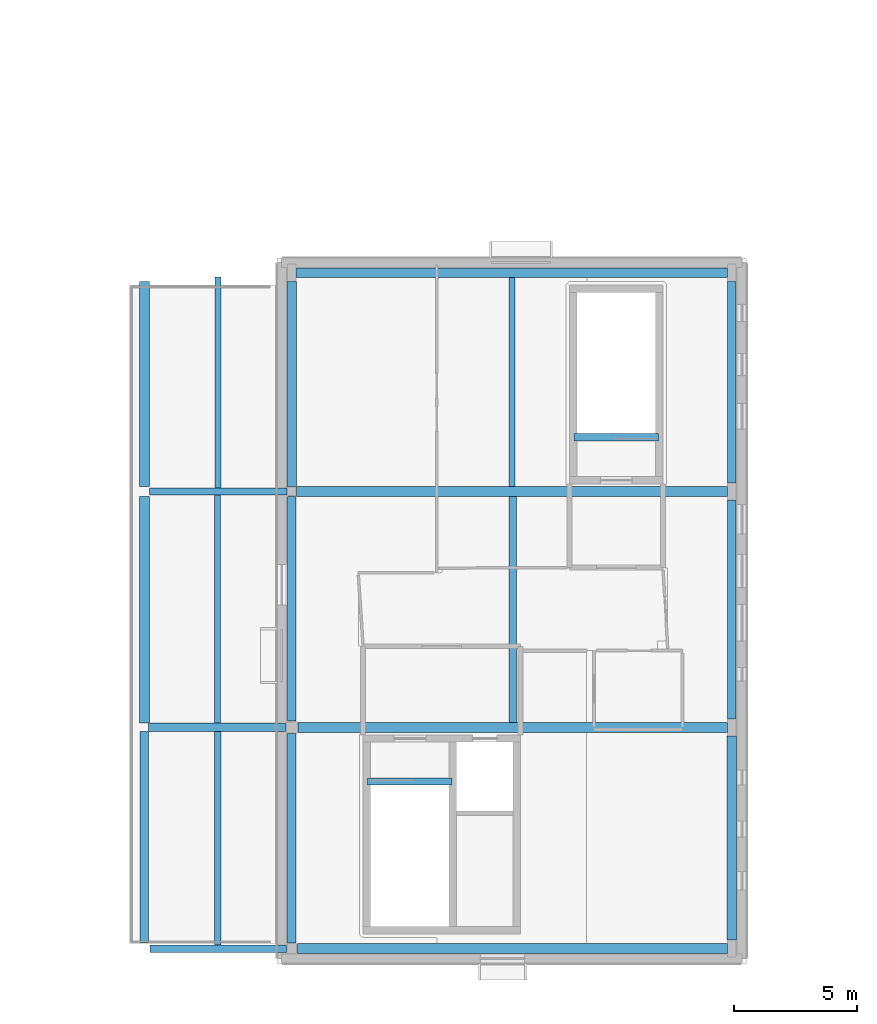
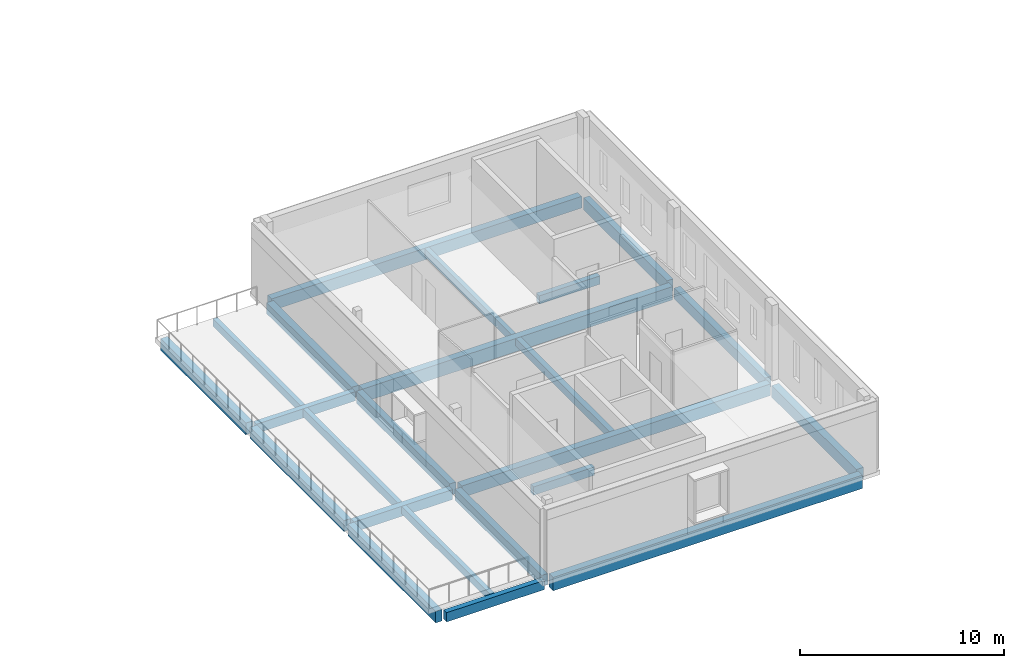
# One storey, part 5 of 41: 23 beams.
"""IFC4 building model written with IfcOpenShell, lengths in metres."""

from ifc_helpers import new_model, si_unit, direction, frame, origin, origin_2d, place, context, subcontext, project, spatial, rectangle, extrude, material, material_profile, profile_set, type_object, element, save


model = new_model("IFC4")

# Units and contexts
model_context = context("Model", 3, precision=1e-05, world=origin(), true_north=direction((0.0, 1.0)))
body_context = subcontext(model_context, "Body", "Model", "MODEL_VIEW")
ifc_project = project(units=[si_unit("LENGTHUNIT", "METRE"), si_unit("AREAUNIT", "SQUARE_METRE"), si_unit("VOLUMEUNIT", "CUBIC_METRE"), si_unit("PLANEANGLEUNIT", "RADIAN"), si_unit("MASSUNIT", "GRAM", prefix="KILO")], contexts=[model_context])

# Site, building, storey
site_placement = place(None, origin())
site = spatial("IfcSite", under=ifc_project, at=site_placement, CompositionType="ELEMENT")
building_placement = place(site_placement, origin())
building = spatial("IfcBuilding", under=site, at=building_placement, Name="Mzevani Central Library", CompositionType="ELEMENT")
storey_placement = place(building_placement, frame((0.0, 0.0, 13.800048828125)))
storey = spatial("IfcBuildingStorey", under=building, at=storey_placement, Name="L03", CompositionType="ELEMENT", Elevation=13.800048828125)

# Beams
ifc_material = material(Name="Concrete C35/45", Category="concrete")
ifc_material_profile_1 = material_profile(ifc_material, rectangle(XDim=0.300048828125, YDim=0.5, at=origin_2d()), Name="RC B300x500")
ifc_profile_set_1 = profile_set([ifc_material_profile_1], Name="Concrete C35/45")
beam_type_1 = type_object("IfcBeamType", Name="Beam RC 300x500", PredefinedType="BEAM", material=ifc_profile_set_1)
beam_1_placement = place(storey_placement, frame((38.8798828125, 21.0, -0.25), z_axis=(1.0, 0.0, 0.0), x_axis=(0.0, 1.0, 0.0)))
element("IfcBeam", 1, at=beam_1_placement, inside=storey, type_object=beam_type_1, Name="L03 Core C4A Cultural Wing Core Stair Opening Trimmer Beam", PredefinedType="BEAM", context=body_context, shape_type="SweptSolid", body=[
    extrude(rectangle(XDim=0.300048828125, YDim=0.5, at=origin_2d()), origin(), (0.0, 0.0, 1.0), 3.440185546875),
])
beam_2_placement = place(storey_placement, frame((47.280029296875, 35.0, -0.25), z_axis=(1.0, 0.0, 0.0), x_axis=(0.0, 1.0, 0.0)))
element("IfcBeam", 2, at=beam_2_placement, inside=storey, type_object=beam_type_1, Name="L03 Core C4B Square South Escape Stair Stair Opening Trimmer Beam", PredefinedType="BEAM", context=body_context, shape_type="SweptSolid", body=[
    extrude(rectangle(XDim=0.300048828125, YDim=0.5, at=origin_2d()), origin(), (0.0, 0.0, 1.0), 3.43994140625),
])
ifc_material_profile_2 = material_profile(ifc_material, rectangle(XDim=0.300048828125, YDim=0.550048828125, at=origin_2d()), Name="RC B300x550")
ifc_profile_set_2 = profile_set([ifc_material_profile_2], Name="Concrete C35/45")
beam_type_2 = type_object("IfcBeamType", Name="Beam RC 300x550", PredefinedType="BEAM", material=ifc_profile_set_2)
beam_3_placement = place(storey_placement, frame((30.02490234375, 14.199951171875, -0.574951171875), z_axis=(1.0, 0.0, 0.0), x_axis=(0.0, 1.0, 0.0)))
element("IfcBeam", 3, at=beam_3_placement, inside=storey, type_object=beam_type_2, Name="L03 V4 Girder B-02 (865)", PredefinedType="BEAM", context=body_context, shape_type="SweptSolid", body=[
    extrude(rectangle(XDim=0.300048828125, YDim=0.550048828125, at=origin_2d()), origin(), (0.0, 0.0, 1.0), 5.550048828125),
])
beam_4_placement = place(storey_placement, frame((30.0, 32.800048828125, -0.574951171875), z_axis=(1.0, 0.0, 0.0), x_axis=(0.0, 1.0, 0.0)))
element("IfcBeam", 4, at=beam_4_placement, inside=storey, type_object=beam_type_2, Name="L03 V4 Girder B-02 (869)", PredefinedType="BEAM", context=body_context, shape_type="SweptSolid", body=[
    extrude(rectangle(XDim=0.300048828125, YDim=0.550048828125, at=origin_2d()), origin(), (0.0, 0.0, 1.0), 5.60009765625),
])
ifc_material_profile_3 = material_profile(ifc_material, rectangle(XDim=0.35009765625, YDim=0.60009765625, at=origin_2d()), Name="RC B350x600")
ifc_profile_set_3 = profile_set([ifc_material_profile_3], Name="Concrete C35/45")
beam_type_3 = type_object("IfcBeamType", Name="Beam RC 350x600", PredefinedType="BEAM", material=ifc_profile_set_3)
beam_5_placement = place(storey_placement, frame((29.97509765625, 23.199951171875, -0.60009765625), z_axis=(1.0, 0.0, 0.0), x_axis=(0.0, 1.0, 0.0)))
element("IfcBeam", 5, at=beam_5_placement, inside=storey, type_object=beam_type_3, Name="L03 V4 Girder B-04 (867)", PredefinedType="BEAM", context=body_context, shape_type="SweptSolid", body=[
    extrude(rectangle(XDim=0.35009765625, YDim=0.60009765625, at=origin_2d()), origin(), (0.0, 0.0, 1.0), 5.574951171875),
])
ifc_material_profile_4 = material_profile(ifc_material, rectangle(XDim=0.35009765625, YDim=0.64990234375, at=origin_2d()), Name="RC B350x650")
ifc_profile_set_4 = profile_set([ifc_material_profile_4], Name="Concrete C35/45")
beam_type_4 = type_object("IfcBeamType", Name="Beam RC 350x650", PredefinedType="BEAM", material=ifc_profile_set_4)
beam_6_placement = place(storey_placement, frame((35.800048828125, 14.425048828125, -0.5849609375), z_axis=(0.0, 1.0, 0.0), x_axis=(-1.0, 0.0, 0.0)))
element("IfcBeam", 6, at=beam_6_placement, inside=storey, type_object=beam_type_4, Name="L03 V4 Frame Beam B-05 (876)", PredefinedType="BEAM", context=body_context, shape_type="SweptSolid", body=[
    extrude(rectangle(XDim=0.35009765625, YDim=0.64990234375, at=origin_2d()), origin(), (0.0, 0.0, 1.0), 8.52490234375),
])
beam_7_placement = place(storey_placement, frame((53.699951171875, 23.550048828125, -0.5849609375), z_axis=(0.0, 1.0, 0.0), x_axis=(-1.0, 0.0, 0.0)))
element("IfcBeam", 7, at=beam_7_placement, inside=storey, type_object=beam_type_4, Name="L03 V4 Frame Beam B-05 (880)", PredefinedType="BEAM", context=body_context, shape_type="SweptSolid", body=[
    extrude(rectangle(XDim=0.35009765625, YDim=0.64990234375, at=origin_2d()), origin(), (0.0, 0.0, 1.0), 8.89990234375),
])
ifc_material_profile_5 = material_profile(ifc_material, rectangle(XDim=0.35009765625, YDim=0.699951171875, at=origin_2d()), Name="RC B350x700")
ifc_profile_set_5 = profile_set([ifc_material_profile_5], Name="Concrete C35/45")
beam_type_5 = type_object("IfcBeamType", Name="Beam RC 350x700", PredefinedType="BEAM", material=ifc_profile_set_5)
beam_8_placement = place(storey_placement, frame((29.800048828125, 14.425048828125, -0.650146484375), z_axis=(0.0, 1.0, 0.0), x_axis=(-1.0, 0.0, 0.0)))
element("IfcBeam", 8, at=beam_8_placement, inside=storey, type_object=beam_type_5, Name="L03 V4 Frame Beam B-06 (873)", PredefinedType="BEAM", context=body_context, shape_type="SweptSolid", body=[
    extrude(rectangle(XDim=0.35009765625, YDim=0.699951171875, at=origin_2d()), origin(), (0.0, 0.0, 1.0), 8.599853515625),
])
beam_9_placement = place(storey_placement, frame((35.800048828125, 23.449951171875, -0.610107421875), z_axis=(0.0, 1.0, 0.0), x_axis=(-1.0, 0.0, 0.0)))
element("IfcBeam", 9, at=beam_9_placement, inside=storey, type_object=beam_type_5, Name="L03 V4 Frame Beam B-06 (877)", PredefinedType="BEAM", context=body_context, shape_type="SweptSolid", body=[
    extrude(rectangle(XDim=0.35009765625, YDim=0.699951171875, at=origin_2d()), origin(), (0.0, 0.0, 1.0), 9.150146484375),
])
beam_10_placement = place(storey_placement, frame((53.699951171875, 33.14990234375, -0.610107421875), z_axis=(0.0, 1.0, 0.0), x_axis=(-1.0, 0.0, 0.0)))
element("IfcBeam", 10, at=beam_10_placement, inside=storey, type_object=beam_type_5, Name="L03 V4 Frame Beam B-06 (881)", PredefinedType="BEAM", context=body_context, shape_type="SweptSolid", body=[
    extrude(rectangle(XDim=0.35009765625, YDim=0.699951171875, at=origin_2d()), origin(), (0.0, 0.0, 1.0), 8.2001953125),
])
ifc_material_profile_6 = material_profile(ifc_material, rectangle(XDim=0.39990234375, YDim=0.64990234375, at=origin_2d()), Name="RC B400x650")
ifc_profile_set_6 = profile_set([ifc_material_profile_6], Name="Concrete C35/45")
beam_type_6 = type_object("IfcBeamType", Name="Beam RC 400x650", PredefinedType="BEAM", material=ifc_profile_set_6)
beam_11_placement = place(storey_placement, frame((29.800048828125, 23.375, -0.625), z_axis=(0.0, 1.0, 0.0), x_axis=(-1.0, 0.0, 0.0)))
element("IfcBeam", 11, at=beam_11_placement, inside=storey, type_object=beam_type_6, Name="L03 V4 Frame Beam B-07 (874)", PredefinedType="BEAM", context=body_context, shape_type="SweptSolid", body=[
    extrude(rectangle(XDim=0.39990234375, YDim=0.64990234375, at=origin_2d()), origin(), (0.0, 0.0, 1.0), 9.22509765625),
])
beam_12_placement = place(storey_placement, frame((35.800048828125, 33.0, -0.5849609375), z_axis=(0.0, 1.0, 0.0), x_axis=(-1.0, 0.0, 0.0)))
element("IfcBeam", 12, at=beam_12_placement, inside=storey, type_object=beam_type_6, Name="L03 V4 Frame Beam B-07 (878)", PredefinedType="BEAM", context=body_context, shape_type="SweptSolid", body=[
    extrude(rectangle(XDim=0.39990234375, YDim=0.64990234375, at=origin_2d()), origin(), (0.0, 0.0, 1.0), 8.35009765625),
])
ifc_material_profile_7 = material_profile(ifc_material, rectangle(XDim=0.39990234375, YDim=0.699951171875, at=origin_2d()), Name="RC B400x700")
ifc_profile_set_7 = profile_set([ifc_material_profile_7], Name="Concrete C35/45")
beam_type_7 = type_object("IfcBeamType", Name="Beam RC 400x700", PredefinedType="BEAM", material=ifc_profile_set_7)
beam_13_placement = place(storey_placement, frame((36.050048828125, 23.199951171875, -0.610107421875), z_axis=(1.0, 0.0, 0.0), x_axis=(0.0, 1.0, 0.0)))
element("IfcBeam", 13, at=beam_13_placement, inside=storey, type_object=beam_type_7, Name="L03 V4 Girder B-08 (868)", PredefinedType="BEAM", context=body_context, shape_type="SweptSolid", body=[
    extrude(rectangle(XDim=0.39990234375, YDim=0.699951171875, at=origin_2d()), origin(), (0.0, 0.0, 1.0), 17.474853515625),
])
beam_14_placement = place(storey_placement, frame((35.97509765625, 41.699951171875, -0.610107421875), z_axis=(1.0, 0.0, 0.0), x_axis=(0.0, 1.0, 0.0)))
element("IfcBeam", 14, at=beam_14_placement, inside=storey, type_object=beam_type_7, Name="L03 V4 Girder B-08 (872)", PredefinedType="BEAM", context=body_context, shape_type="SweptSolid", body=[
    extrude(rectangle(XDim=0.39990234375, YDim=0.699951171875, at=origin_2d()), origin(), (0.0, 0.0, 1.0), 17.5498046875),
])
beam_15_placement = place(storey_placement, frame((29.800048828125, 33.0, -0.650146484375), z_axis=(0.0, 1.0, 0.0), x_axis=(-1.0, 0.0, 0.0)))
element("IfcBeam", 15, at=beam_15_placement, inside=storey, type_object=beam_type_7, Name="L03 V4 Frame Beam B-08 (875)", PredefinedType="BEAM", context=body_context, shape_type="SweptSolid", body=[
    extrude(rectangle(XDim=0.39990234375, YDim=0.699951171875, at=origin_2d()), origin(), (0.0, 0.0, 1.0), 8.35009765625),
])
beam_16_placement = place(storey_placement, frame((53.699951171875, 14.550048828125, -0.610107421875), z_axis=(0.0, 1.0, 0.0), x_axis=(-1.0, 0.0, 0.0)))
element("IfcBeam", 16, at=beam_16_placement, inside=storey, type_object=beam_type_7, Name="L03 V4 Frame Beam B-08 (879)", PredefinedType="BEAM", context=body_context, shape_type="SweptSolid", body=[
    extrude(rectangle(XDim=0.39990234375, YDim=0.699951171875, at=origin_2d()), origin(), (0.0, 0.0, 1.0), 8.300048828125),
])
ifc_material_profile_8 = material_profile(ifc_material, rectangle(XDim=0.39990234375, YDim=0.800048828125, at=origin_2d()), Name="RC B400x800")
ifc_profile_set_8 = profile_set([ifc_material_profile_8], Name="Concrete C35/45")
beam_type_8 = type_object("IfcBeamType", Name="Beam RC 400x800", PredefinedType="BEAM", material=ifc_profile_set_8)
beam_17_placement = place(storey_placement, frame((36.02490234375, 14.199951171875, -0.66015625), z_axis=(1.0, 0.0, 0.0), x_axis=(0.0, 1.0, 0.0)))
element("IfcBeam", 17, at=beam_17_placement, inside=storey, type_object=beam_type_8, Name="L03 V4 Girder B-10 (866)", PredefinedType="BEAM", context=body_context, shape_type="SweptSolid", body=[
    extrude(rectangle(XDim=0.39990234375, YDim=0.800048828125, at=origin_2d()), origin(), (0.0, 0.0, 1.0), 17.5),
])
beam_18_placement = place(storey_placement, frame((36.0, 32.800048828125, -0.66015625), z_axis=(1.0, 0.0, 0.0), x_axis=(0.0, 1.0, 0.0)))
element("IfcBeam", 18, at=beam_18_placement, inside=storey, type_object=beam_type_8, Name="L03 V4 Girder B-10 (870)", PredefinedType="BEAM", context=body_context, shape_type="SweptSolid", body=[
    extrude(rectangle(XDim=0.39990234375, YDim=0.800048828125, at=origin_2d()), origin(), (0.0, 0.0, 1.0), 17.52490234375),
])
ifc_material_profile_9 = material_profile(ifc_material, rectangle(XDim=0.25, YDim=0.449951171875, at=origin_2d()), Name="RC J250x450")
ifc_profile_set_9 = profile_set([ifc_material_profile_9], Name="Concrete C35/45")
beam_type_9 = type_object("IfcBeamType", Name="Floor Joist RC 250x450", PredefinedType="JOIST", material=ifc_profile_set_9)
beam_19_placement = place(storey_placement, frame((32.78759765625, 14.35009765625, -0.525146484375), z_axis=(0.0, 1.0, 0.0), x_axis=(-1.0, 0.0, 0.0)))
element("IfcBeam", 19, at=beam_19_placement, inside=storey, type_object=beam_type_9, Name="L03 V4 Floor Joist BJ-01 (882)", PredefinedType="JOIST", context=body_context, shape_type="SweptSolid", body=[
    extrude(rectangle(XDim=0.25, YDim=0.449951171875, at=origin_2d()), origin(), (0.0, 0.0, 1.0), 8.6748046875),
])
beam_20_placement = place(storey_placement, frame((32.800048828125, 32.949951171875, -0.525146484375), z_axis=(0.0, 1.0, 0.0), x_axis=(-1.0, 0.0, 0.0)))
element("IfcBeam", 20, at=beam_20_placement, inside=storey, type_object=beam_type_9, Name="L03 V4 Floor Joist BJ-01 (885)", PredefinedType="JOIST", context=body_context, shape_type="SweptSolid", body=[
    extrude(rectangle(XDim=0.25, YDim=0.449951171875, at=origin_2d()), origin(), (0.0, 0.0, 1.0), 8.574951171875),
])
ifc_material_profile_10 = material_profile(ifc_material, rectangle(XDim=0.25, YDim=0.5, at=origin_2d()), Name="RC J250x500")
ifc_profile_set_10 = profile_set([ifc_material_profile_10], Name="Concrete C35/45")
beam_type_10 = type_object("IfcBeamType", Name="Floor Joist RC 250x500", PredefinedType="JOIST", material=ifc_profile_set_10)
beam_21_placement = place(storey_placement, frame((32.77490234375, 23.375, -0.550048828125), z_axis=(0.0, 1.0, 0.0), x_axis=(-1.0, 0.0, 0.0)))
element("IfcBeam", 21, at=beam_21_placement, inside=storey, type_object=beam_type_10, Name="L03 V4 Floor Joist BJ-02 (883)", PredefinedType="JOIST", context=body_context, shape_type="SweptSolid", body=[
    extrude(rectangle(XDim=0.25, YDim=0.5, at=origin_2d()), origin(), (0.0, 0.0, 1.0), 9.27490234375),
])
beam_22_placement = place(storey_placement, frame((44.762451171875, 33.0, -0.510009765625), z_axis=(0.0, 1.0, 0.0), x_axis=(-1.0, 0.0, 0.0)))
element("IfcBeam", 22, at=beam_22_placement, inside=storey, type_object=beam_type_10, Name="L03 V4 Floor Joist BJ-02 (886)", PredefinedType="JOIST", context=body_context, shape_type="SweptSolid", body=[
    extrude(rectangle(XDim=0.25, YDim=0.5, at=origin_2d()), origin(), (0.0, 0.0, 1.0), 8.5),
])
ifc_material_profile_11 = material_profile(ifc_material, rectangle(XDim=0.300048828125, YDim=0.449951171875, at=origin_2d()), Name="RC J300x450")
ifc_profile_set_11 = profile_set([ifc_material_profile_11], Name="Concrete C35/45")
beam_type_11 = type_object("IfcBeamType", Name="Floor Joist RC 300x450", PredefinedType="JOIST", material=ifc_profile_set_11)
beam_23_placement = place(storey_placement, frame((44.78759765625, 23.39990234375, -0.485107421875), z_axis=(0.0, 1.0, 0.0), x_axis=(-1.0, 0.0, 0.0)))
element("IfcBeam", 23, at=beam_23_placement, inside=storey, type_object=beam_type_11, Name="L03 V4 Floor Joist BJ-03 (884)", PredefinedType="JOIST", context=body_context, shape_type="SweptSolid", body=[
    extrude(rectangle(XDim=0.300048828125, YDim=0.449951171875, at=origin_2d()), origin(), (0.0, 0.0, 1.0), 9.2001953125),
])

save(model, "model.ifc")
